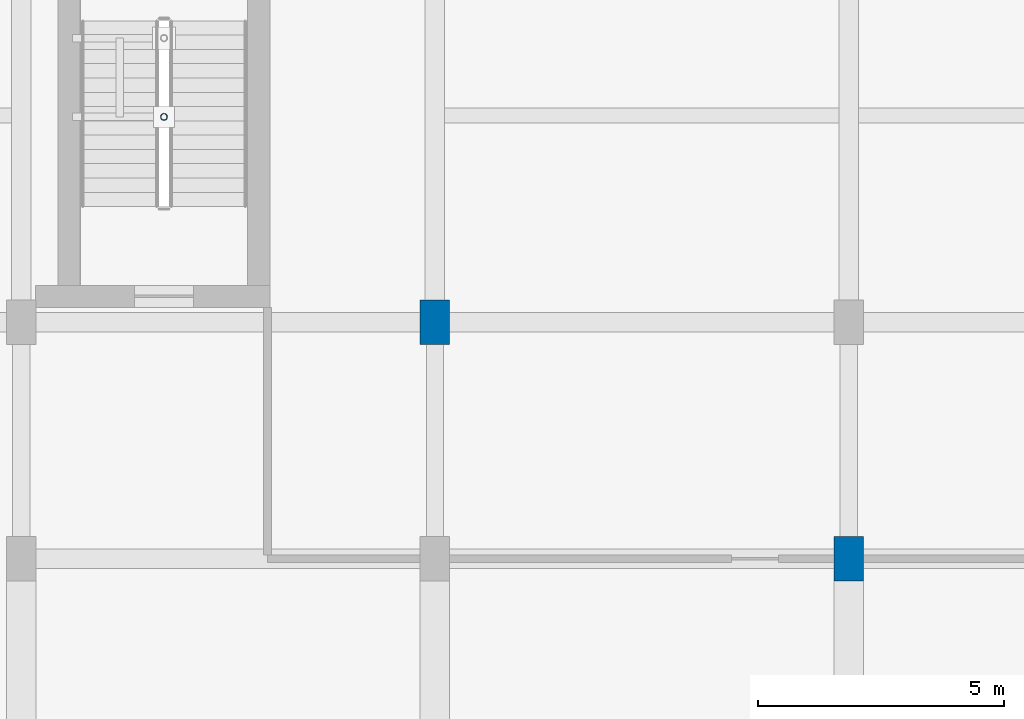
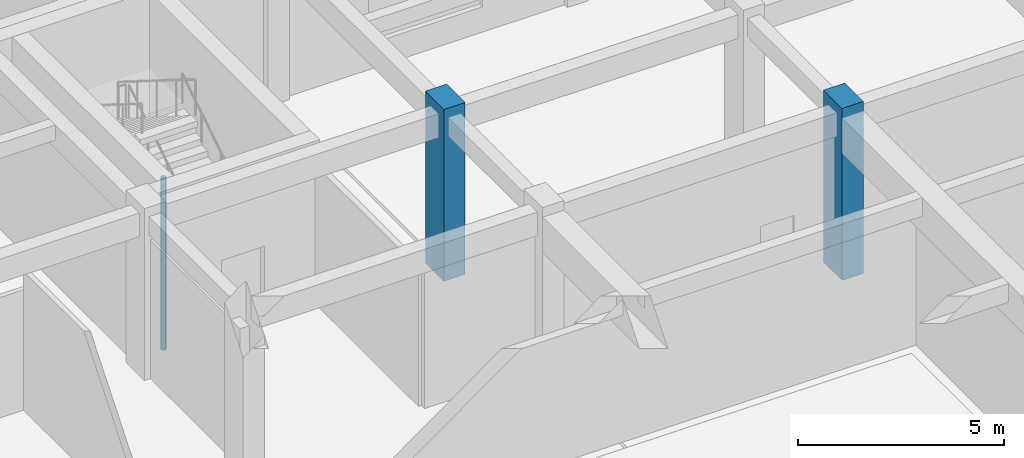
# One storey, part 2 of 93: 3 columns.
"""IFC4 building model written with IfcOpenShell, lengths in metres."""

from ifc_helpers import new_model, si_unit, direction, frame, origin, origin_2d, place, context, subcontext, project, spatial, rectangle, hollow_circle, extrude, material, material_profile, profile_set, type_object, element, save


model = new_model("IFC4")

# Units and contexts
model_context = context("Model", 3, precision=1e-05, world=origin(), true_north=direction((0.0, 1.0)))
body_context = subcontext(model_context, "Body", "Model", "MODEL_VIEW")
ifc_project = project(units=[si_unit("LENGTHUNIT", "METRE"), si_unit("AREAUNIT", "SQUARE_METRE"), si_unit("VOLUMEUNIT", "CUBIC_METRE"), si_unit("PLANEANGLEUNIT", "RADIAN"), si_unit("MASSUNIT", "GRAM", prefix="KILO")], contexts=[model_context])

# Site, building, storey
site_placement = place(None, origin())
site = spatial("IfcSite", under=ifc_project, at=site_placement, CompositionType="ELEMENT")
building_placement = place(site_placement, origin())
building = spatial("IfcBuilding", under=site, at=building_placement, Name="Krzemoval Escarpment Law Courts", CompositionType="ELEMENT")
storey_placement = place(building_placement, frame((0.0, 0.0, 10.199951171875)))
storey = spatial("IfcBuildingStorey", under=building, at=storey_placement, Name="L02", CompositionType="ELEMENT", Elevation=10.199951171875)

# Columns
ifc_material_1 = material(Name="Concrete C50/60", Category="concrete")
ifc_material_profile_1 = material_profile(ifc_material_1, rectangle(XDim=0.60009765625, YDim=0.89990234375, at=origin_2d()), Name="RC 600x900")
ifc_profile_set_1 = profile_set([ifc_material_profile_1], Name="Concrete C50/60")
column_type_1 = type_object("IfcColumnType", Name="COL-RC-600x900", PredefinedType="COLUMN", material=ifc_profile_set_1)
for number, where, z_axis, x_axis, name in (
    (1, (42.0, 27.0, 0.0), (0.0, 0.0, 1.0), (1.0, 0.0, 0.0), "Column FC-L02-0871"),
    (2, (50.39990234375, 22.199951171875, 0.0), (0.0, 0.0, 1.0), (1.0, 0.0, 0.0), "Column FC-L02-0886"),
):
    element("IfcColumn", number, at=place(storey_placement, frame(where, z_axis=z_axis, x_axis=x_axis)), inside=storey, type_object=column_type_1, Name=name, PredefinedType="COLUMN", context=body_context, shape_type="SweptSolid", body=[
        extrude(rectangle(XDim=0.60009765625, YDim=0.89990234375, at=origin_2d()), origin(), (0.0, 0.0, 1.0), 5.10009765625),
    ])
ifc_material_2 = material(Name="Steel S355", Category="steel")
ifc_material_profile_2 = material_profile(ifc_material_2, hollow_circle(Radius=0.06982421875, WallThickness=0.008056640625, at=origin_2d()), Name="CHS 139.7x8")
ifc_profile_set_2 = profile_set([ifc_material_profile_2], Name="Steel S355")
column_type_2 = type_object("IfcColumnType", Name="COL-S355-CHS140", PredefinedType="COLUMN", material=ifc_profile_set_2)
column_placement = place(storey_placement, frame((36.5, 31.169921875, -2.97998046875), z_axis=(0.0, 0.0, 1.0), x_axis=(1.0, 0.0, 0.0)))
element("IfcColumn", 3, at=column_placement, inside=storey, type_object=column_type_2, Name="Stair Well Post SCP-C7-L02-2", PredefinedType="COLUMN", context=body_context, shape_type="SweptSolid", body=[
    extrude(hollow_circle(Radius=0.06982421875, WallThickness=0.008056640625, at=origin_2d()), origin(), (0.0, 0.0, 1.0), 5.10009765625),
])

save(model, "model.ifc")
